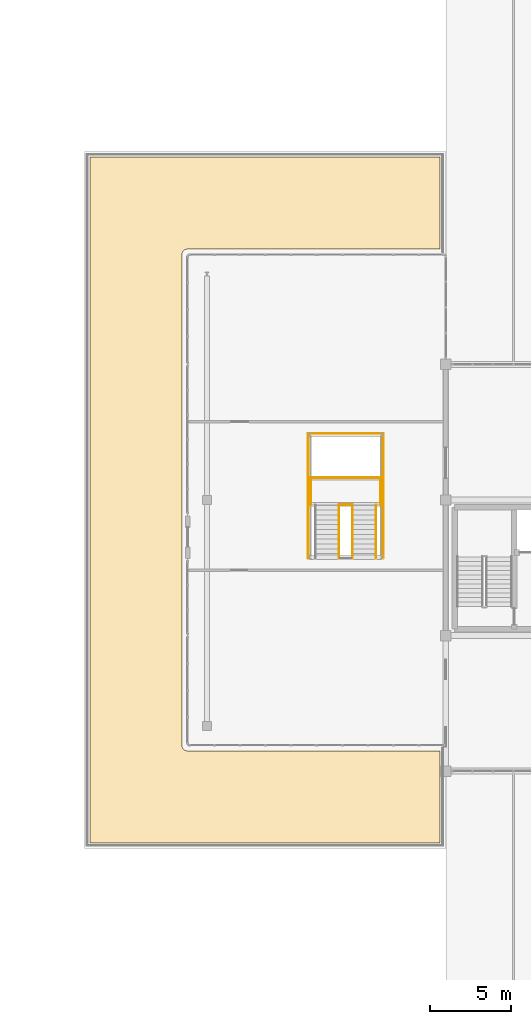
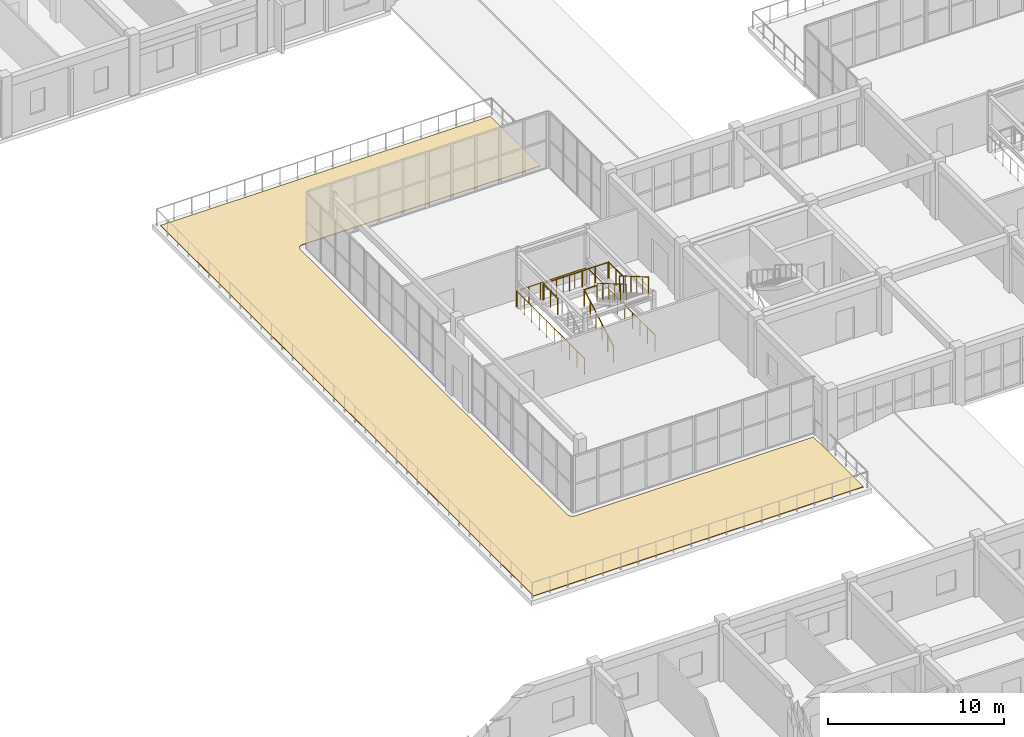
# One storey, part 82 of 90: 10 railings, 1 covering.
"""IFC4 building model written with IfcOpenShell, lengths in metres."""

from ifc_helpers import new_model, si_unit, direction, frame, origin, origin_2d, place, context, subcontext, project, spatial, polyline, circle, outline, extrude, material, layer, layer_set, type_object, element, save


model = new_model("IFC4")

# Units and contexts
model_context = context("Model", 3, precision=1e-05, world=origin(), true_north=direction((0.0, 1.0)))
body_context = subcontext(model_context, "Body", "Model", "MODEL_VIEW")
ifc_project = project(units=[si_unit("LENGTHUNIT", "METRE"), si_unit("AREAUNIT", "SQUARE_METRE"), si_unit("VOLUMEUNIT", "CUBIC_METRE"), si_unit("PLANEANGLEUNIT", "RADIAN"), si_unit("MASSUNIT", "GRAM", prefix="KILO")], contexts=[model_context])

# Site, building, storey
site_placement = place(None, origin())
site = spatial("IfcSite", under=ifc_project, at=site_placement, CompositionType="ELEMENT")
building_placement = place(site_placement, origin())
building = spatial("IfcBuilding", under=site, at=building_placement, Name="Trelvath General Hospital", CompositionType="ELEMENT")
storey_placement = place(building_placement, frame((0.0, 0.0, 20.39990234375)))
storey = spatial("IfcBuildingStorey", under=building, at=storey_placement, Name="L05", CompositionType="ELEMENT", Elevation=20.39990234375)

# Railings
ifc_material_1 = material(Name="Architectural painted steel", Category="steel")
railing_type = type_object("IfcRailingType", Name="Guardrail Terrace1150", PredefinedType="GUARDRAIL", material=ifc_material_1)
railing_1_placement = place(storey_placement, frame((68.97998046875, 55.169921875, 0.175048828125)))
element("IfcRailing", 1, at=railing_1_placement, inside=storey, type_object=railing_type, Name="Cube Stair Flight Guard ST9 L05 340", PredefinedType="GUARDRAIL", context=body_context, shape_type="SweptSolid", body=[
    extrude(circle(Radius=0.02392578125, at=origin_2d()), frame((0.0, 0.0, 1.1259765625), z_axis=(0.0, 0.863776583165, 0.503874998761), x_axis=(-1.0, 0.0, 0.0)), (0.0, 0.0, 1.0), 3.820556640625),
    extrude(circle(Radius=0.02099609375, at=origin_2d()), origin(), (0.0, 0.0, 1.0), 1.099853515625),
    extrude(circle(Radius=0.02099609375, at=origin_2d()), frame((0.0, 0.659912109375, 0.385009765625)), (0.0, 0.0, 1.0), 1.099853515625),
    extrude(circle(Radius=0.02099609375, at=origin_2d()), frame((0.0, 1.320068359375, 0.77001953125)), (0.0, 0.0, 1.0), 1.099853515625),
    extrude(circle(Radius=0.02099609375, at=origin_2d()), frame((0.0, 1.97998046875, 1.155029296875)), (0.0, 0.0, 1.0), 1.099853515625),
    extrude(circle(Radius=0.02099609375, at=origin_2d()), frame((0.0, 2.64013671875, 1.5400390625)), (0.0, 0.0, 1.0), 1.099853515625),
    extrude(circle(Radius=0.02099609375, at=origin_2d()), frame((0.0, 3.300048828125, 1.925048828125)), (0.0, 0.0, 1.0), 1.099853515625),
])
for number, where, name in (
    (2, (69.820068359375, 58.469970703125, 2.275146484375), "Cube Stair Flight Guard ST9 L05 341"),
    (3, (71.280029296875, 58.469970703125, 2.275146484375), "Cube Stair Flight Guard ST9 L05 342"),
):
    element("IfcRailing", number, at=place(storey_placement, frame(where)), inside=storey, type_object=railing_type, Name=name, PredefinedType="GUARDRAIL", context=body_context, shape_type="SweptSolid", body=[
        extrude(circle(Radius=0.02392578125, at=origin_2d()), frame((0.0, 0.0, 1.1259765625), z_axis=(0.0, -0.863776583165, 0.503874998761), x_axis=(1.0, 0.0, 0.0)), (0.0, 0.0, 1.0), 3.820556640625),
        extrude(circle(Radius=0.02099609375, at=origin_2d()), origin(), (0.0, 0.0, 1.0), 1.099853515625),
        extrude(circle(Radius=0.02099609375, at=origin_2d()), frame((0.0, -0.659912109375, 0.385009765625)), (0.0, 0.0, 1.0), 1.099853515625),
        extrude(circle(Radius=0.02099609375, at=origin_2d()), frame((0.0, -1.320068359375, 0.77001953125)), (0.0, 0.0, 1.0), 1.099853515625),
        extrude(circle(Radius=0.02099609375, at=origin_2d()), frame((0.0, -1.97998046875, 1.155029296875)), (0.0, 0.0, 1.0), 1.099853515625),
        extrude(circle(Radius=0.02099609375, at=origin_2d()), frame((0.0, -2.64013671875, 1.5400390625)), (0.0, 0.0, 1.0), 1.099853515625),
        extrude(circle(Radius=0.02099609375, at=origin_2d()), frame((0.0, -3.300048828125, 1.925048828125)), (0.0, 0.0, 1.0), 1.099853515625),
    ])
railing_2_placement = place(storey_placement, frame((67.239990234375, 58.510009765625, 2.10009765625)))
element("IfcRailing", 4, at=railing_2_placement, inside=storey, type_object=railing_type, Name="Cube Half-Landing Guard W ST9 L05 343", PredefinedType="GUARDRAIL", context=body_context, shape_type="SweptSolid", body=[
    extrude(circle(Radius=0.02392578125, at=origin_2d()), frame((0.0, 0.0, 1.1259765625), z_axis=(0.0, 1.0, 0.0), x_axis=(-1.0, 0.0, 0.0)), (0.0, 0.0, 1.0), 1.669921875),
    extrude(circle(Radius=0.02099609375, at=origin_2d()), origin(), (0.0, 0.0, 1.0), 1.099853515625),
    extrude(circle(Radius=0.02099609375, at=origin_2d()), frame((0.0, 0.8349609375, 0.0)), (0.0, 0.0, 1.0), 1.099853515625),
    extrude(circle(Radius=0.02099609375, at=origin_2d()), frame((0.0, 1.669921875, 0.0)), (0.0, 0.0, 1.0), 1.099853515625),
])
railing_3_placement = place(storey_placement, frame((67.280029296875, 60.179931640625, 2.10009765625)))
element("IfcRailing", 5, at=railing_3_placement, inside=storey, type_object=railing_type, Name="Cube Half-Landing Guard N ST9 L05 344", PredefinedType="GUARDRAIL", context=body_context, shape_type="SweptSolid", body=[
    extrude(circle(Radius=0.02392578125, at=origin_2d()), frame((0.0, 0.0, 1.1259765625), z_axis=(1.0, 0.0, 0.0), x_axis=(0.0, 1.0, 0.0)), (0.0, 0.0, 1.0), 4.239990234375),
    extrude(circle(Radius=0.02099609375, at=origin_2d()), origin(), (0.0, 0.0, 1.0), 1.099853515625),
    extrude(circle(Radius=0.02099609375, at=origin_2d()), frame((0.847900390625, 0.0, 0.0)), (0.0, 0.0, 1.0), 1.099853515625),
    extrude(circle(Radius=0.02099609375, at=origin_2d()), frame((1.696044921875, 0.0, 0.0)), (0.0, 0.0, 1.0), 1.099853515625),
    extrude(circle(Radius=0.02099609375, at=origin_2d()), frame((2.5439453125, 0.0, 0.0)), (0.0, 0.0, 1.0), 1.099853515625),
    extrude(circle(Radius=0.02099609375, at=origin_2d()), frame((3.39208984375, 0.0, 0.0)), (0.0, 0.0, 1.0), 1.099853515625),
    extrude(circle(Radius=0.02099609375, at=origin_2d()), frame((4.239990234375, 0.0, 0.0)), (0.0, 0.0, 1.0), 1.099853515625),
])
railing_4_placement = place(storey_placement, frame((71.56005859375, 58.510009765625, 2.10009765625)))
element("IfcRailing", 6, at=railing_4_placement, inside=storey, type_object=railing_type, Name="Cube Half-Landing Guard E ST9 L05 345", PredefinedType="GUARDRAIL", context=body_context, shape_type="SweptSolid", body=[
    extrude(circle(Radius=0.02392578125, at=origin_2d()), frame((0.0, 0.0, 1.1259765625), z_axis=(0.0, 1.0, 0.0), x_axis=(-1.0, 0.0, 0.0)), (0.0, 0.0, 1.0), 1.669921875),
    extrude(circle(Radius=0.02099609375, at=origin_2d()), origin(), (0.0, 0.0, 1.0), 1.099853515625),
    extrude(circle(Radius=0.02099609375, at=origin_2d()), frame((0.0, 0.8349609375, 0.0)), (0.0, 0.0, 1.0), 1.099853515625),
    extrude(circle(Radius=0.02099609375, at=origin_2d()), frame((0.0, 1.669921875, 0.0)), (0.0, 0.0, 1.0), 1.099853515625),
])
railing_5_placement = place(storey_placement, frame((68.97998046875, 58.510009765625, 2.10009765625)))
element("IfcRailing", 7, at=railing_5_placement, inside=storey, type_object=railing_type, Name="Cube Half-Landing Slot Guard ST9 L05 346", PredefinedType="GUARDRAIL", context=body_context, shape_type="SweptSolid", body=[
    extrude(circle(Radius=0.02392578125, at=origin_2d()), frame((0.0, 0.0, 1.1259765625), z_axis=(1.0, 0.0, 0.0), x_axis=(0.0, 1.0, 0.0)), (0.0, 0.0, 1.0), 0.840087890625),
    extrude(circle(Radius=0.02099609375, at=origin_2d()), origin(), (0.0, 0.0, 1.0), 1.099853515625),
    extrude(circle(Radius=0.02099609375, at=origin_2d()), frame((0.840087890625, 0.0, 0.0)), (0.0, 0.0, 1.0), 1.099853515625),
])
railing_6_placement = place(storey_placement, frame((67.080078125, 55.179931640625, 0.0)))
element("IfcRailing", 8, at=railing_6_placement, inside=storey, type_object=railing_type, Name="Atrium Guard W CUBE-W-T2 L05 387", PredefinedType="GUARDRAIL", context=body_context, shape_type="SweptSolid", body=[
    extrude(circle(Radius=0.02392578125, at=origin_2d()), frame((0.0, 0.0, 1.1259765625), z_axis=(0.0, 1.0, 0.0), x_axis=(-1.0, 0.0, 0.0)), (0.0, 0.0, 1.0), 7.739990234375),
    extrude(circle(Radius=0.02099609375, at=origin_2d()), origin(), (0.0, 0.0, 1.0), 1.099853515625),
    extrude(circle(Radius=0.02099609375, at=origin_2d()), frame((0.0, 0.860107421875, 0.0)), (0.0, 0.0, 1.0), 1.099853515625),
    extrude(circle(Radius=0.02099609375, at=origin_2d()), frame((0.0, 1.719970703125, 0.0)), (0.0, 0.0, 1.0), 1.099853515625),
    extrude(circle(Radius=0.02099609375, at=origin_2d()), frame((0.0, 2.580078125, 0.0)), (0.0, 0.0, 1.0), 1.099853515625),
    extrude(circle(Radius=0.02099609375, at=origin_2d()), frame((0.0, 3.43994140625, 0.0)), (0.0, 0.0, 1.0), 1.099853515625),
    extrude(circle(Radius=0.02099609375, at=origin_2d()), frame((0.0, 4.300048828125, 0.0)), (0.0, 0.0, 1.0), 1.099853515625),
    extrude(circle(Radius=0.02099609375, at=origin_2d()), frame((0.0, 5.159912109375, 0.0)), (0.0, 0.0, 1.0), 1.099853515625),
    extrude(circle(Radius=0.02099609375, at=origin_2d()), frame((0.0, 6.02001953125, 0.0)), (0.0, 0.0, 1.0), 1.099853515625),
    extrude(circle(Radius=0.02099609375, at=origin_2d()), frame((0.0, 6.8798828125, 0.0)), (0.0, 0.0, 1.0), 1.099853515625),
    extrude(circle(Radius=0.02099609375, at=origin_2d()), frame((0.0, 7.739990234375, 0.0)), (0.0, 0.0, 1.0), 1.099853515625),
])
railing_7_placement = place(storey_placement, frame((67.139892578125, 62.919921875, 0.0)))
element("IfcRailing", 9, at=railing_7_placement, inside=storey, type_object=railing_type, Name="Atrium Guard N CUBE-W-T2 L05 388", PredefinedType="GUARDRAIL", context=body_context, shape_type="SweptSolid", body=[
    extrude(circle(Radius=0.02392578125, at=origin_2d()), frame((0.0, 0.0, 1.1259765625), z_axis=(1.0, 0.0, 0.0), x_axis=(0.0, 1.0, 0.0)), (0.0, 0.0, 1.0), 4.52001953125),
    extrude(circle(Radius=0.02099609375, at=origin_2d()), origin(), (0.0, 0.0, 1.0), 1.099853515625),
    extrude(circle(Radius=0.02099609375, at=origin_2d()), frame((0.75341796875, 0.0, 0.0)), (0.0, 0.0, 1.0), 1.099853515625),
    extrude(circle(Radius=0.02099609375, at=origin_2d()), frame((1.506591796875, 0.0, 0.0)), (0.0, 0.0, 1.0), 1.099853515625),
    extrude(circle(Radius=0.02099609375, at=origin_2d()), frame((2.260009765625, 0.0, 0.0)), (0.0, 0.0, 1.0), 1.099853515625),
    extrude(circle(Radius=0.02099609375, at=origin_2d()), frame((3.013427734375, 0.0, 0.0)), (0.0, 0.0, 1.0), 1.099853515625),
    extrude(circle(Radius=0.02099609375, at=origin_2d()), frame((3.7666015625, 0.0, 0.0)), (0.0, 0.0, 1.0), 1.099853515625),
    extrude(circle(Radius=0.02099609375, at=origin_2d()), frame((4.52001953125, 0.0, 0.0)), (0.0, 0.0, 1.0), 1.099853515625),
])
railing_8_placement = place(storey_placement, frame((71.719970703125, 55.179931640625, 0.0)))
element("IfcRailing", 10, at=railing_8_placement, inside=storey, type_object=railing_type, Name="Atrium Guard E CUBE-W-T2 L05 389", PredefinedType="GUARDRAIL", context=body_context, shape_type="SweptSolid", body=[
    extrude(circle(Radius=0.02392578125, at=origin_2d()), frame((0.0, 0.0, 1.1259765625), z_axis=(0.0, 1.0, 0.0), x_axis=(-1.0, 0.0, 0.0)), (0.0, 0.0, 1.0), 7.739990234375),
    extrude(circle(Radius=0.02099609375, at=origin_2d()), origin(), (0.0, 0.0, 1.0), 1.099853515625),
    extrude(circle(Radius=0.02099609375, at=origin_2d()), frame((0.0, 0.860107421875, 0.0)), (0.0, 0.0, 1.0), 1.099853515625),
    extrude(circle(Radius=0.02099609375, at=origin_2d()), frame((0.0, 1.719970703125, 0.0)), (0.0, 0.0, 1.0), 1.099853515625),
    extrude(circle(Radius=0.02099609375, at=origin_2d()), frame((0.0, 2.580078125, 0.0)), (0.0, 0.0, 1.0), 1.099853515625),
    extrude(circle(Radius=0.02099609375, at=origin_2d()), frame((0.0, 3.43994140625, 0.0)), (0.0, 0.0, 1.0), 1.099853515625),
    extrude(circle(Radius=0.02099609375, at=origin_2d()), frame((0.0, 4.300048828125, 0.0)), (0.0, 0.0, 1.0), 1.099853515625),
    extrude(circle(Radius=0.02099609375, at=origin_2d()), frame((0.0, 5.159912109375, 0.0)), (0.0, 0.0, 1.0), 1.099853515625),
    extrude(circle(Radius=0.02099609375, at=origin_2d()), frame((0.0, 6.02001953125, 0.0)), (0.0, 0.0, 1.0), 1.099853515625),
    extrude(circle(Radius=0.02099609375, at=origin_2d()), frame((0.0, 6.8798828125, 0.0)), (0.0, 0.0, 1.0), 1.099853515625),
    extrude(circle(Radius=0.02099609375, at=origin_2d()), frame((0.0, 7.739990234375, 0.0)), (0.0, 0.0, 1.0), 1.099853515625),
])

# Covering
ifc_material_2 = material(Name="Planted green roof substrate")
ifc_layer = layer(ifc_material_2, 0.179931640625)
ifc_layer_set = layer_set([ifc_layer], Name="Planted green roof substrate")
covering_type = type_object("IfcCoveringType", Name="Roofing PlantedGarden", PredefinedType="ROOFING", material=ifc_layer_set)
covering_placement = place(storey_placement, origin())
element("IfcCovering", 11, at=covering_placement, inside=storey, type_object=covering_type, Name="Crystal Cube Planted Garden TERR-CW-U5", PredefinedType="ROOFING", context=body_context, shape_type="SweptSolid", body=[
    extrude(outline(polyline([(53.550048828125, 37.550048828125), (53.550048828125, 80.050048828125), (75.25, 80.050048828125), (75.25, 74.35009765625), (59.60009765625, 74.35009765625), (59.565673828125, 74.348388671875), (59.53173828125, 74.34326171875), (59.498291015625, 74.3349609375), (59.466064453125, 74.323486328125), (59.43505859375, 74.30859375), (59.405517578125, 74.291015625), (59.3779296875, 74.2705078125), (59.3525390625, 74.24755859375), (59.329345703125, 74.221923828125), (59.30908203125, 74.1943359375), (59.291259765625, 74.1650390625), (59.276611328125, 74.1337890625), (59.26513671875, 74.1015625), (59.256591796875, 74.068359375), (59.251708984375, 74.0341796875), (59.25, 74.0), (59.25, 43.60009765625), (59.251708984375, 43.565673828125), (59.256591796875, 43.53173828125), (59.26513671875, 43.498291015625), (59.276611328125, 43.466064453125), (59.291259765625, 43.43505859375), (59.30908203125, 43.405517578125), (59.329345703125, 43.3779296875), (59.3525390625, 43.3525390625), (59.3779296875, 43.329345703125), (59.405517578125, 43.30908203125), (59.43505859375, 43.291259765625), (59.466064453125, 43.276611328125), (59.498291015625, 43.26513671875), (59.53173828125, 43.256591796875), (59.565673828125, 43.251708984375), (59.60009765625, 43.25), (75.25, 43.25), (75.25, 37.550048828125), (53.550048828125, 37.550048828125)])), origin(), (0.0, 0.0, 1.0), 0.0400390625),
])

save(model, "model.ifc")
